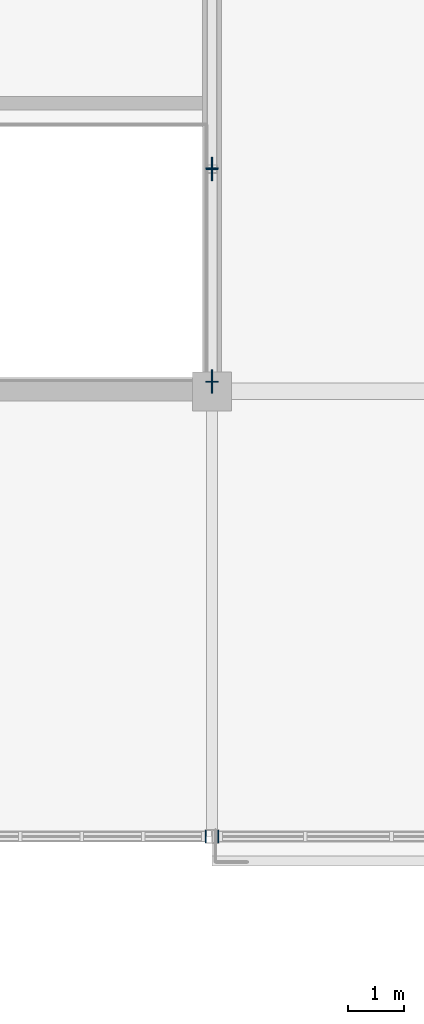
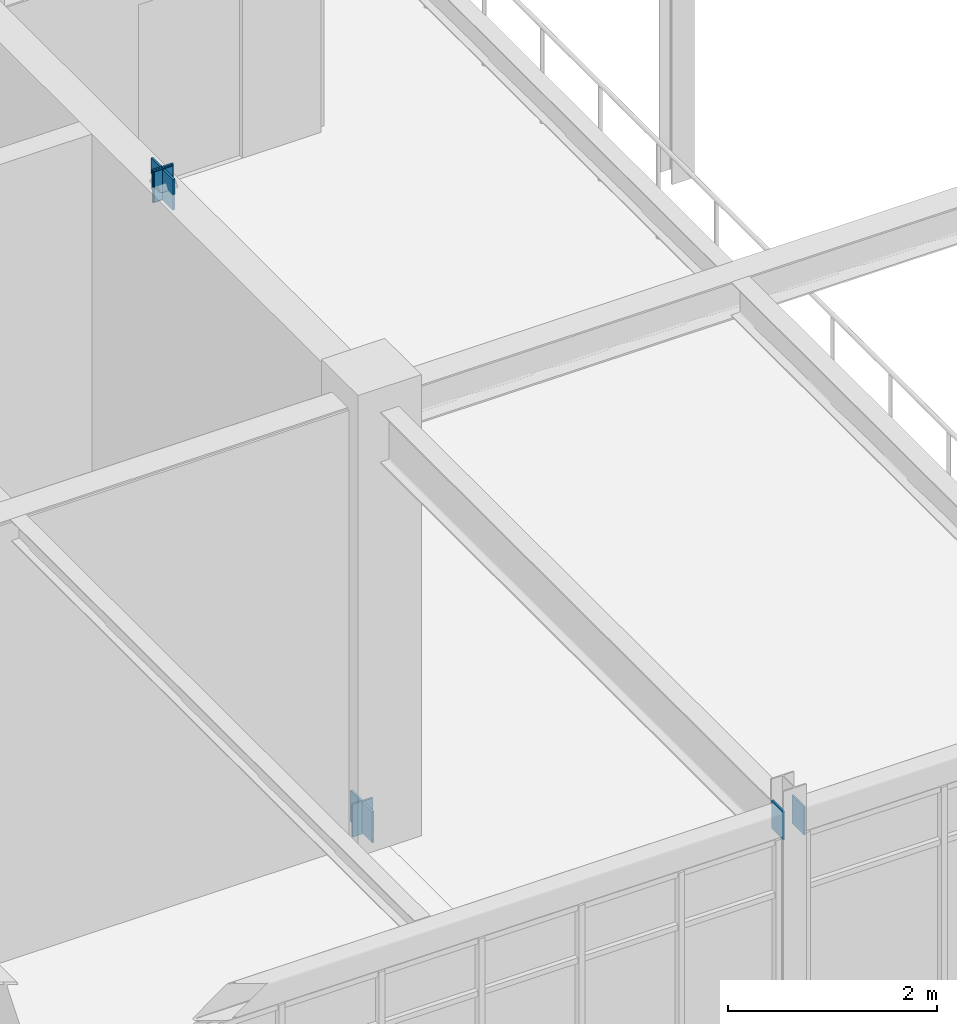
# One storey, part 124 of 184: 7 plates.
"""IFC4 building model written with IfcOpenShell, lengths in metres."""

from ifc_helpers import new_model, si_unit, direction, frame, origin, origin_2d, place, context, subcontext, project, spatial, rectangle, extrude, material, layer, layer_set, type_object, element, save


model = new_model("IFC4")

# Units and contexts
model_context = context("Model", 3, precision=1e-05, world=origin(), true_north=direction((0.0, 1.0)))
body_context = subcontext(model_context, "Body", "Model", "MODEL_VIEW")
ifc_project = project(units=[si_unit("LENGTHUNIT", "METRE"), si_unit("AREAUNIT", "SQUARE_METRE"), si_unit("VOLUMEUNIT", "CUBIC_METRE"), si_unit("PLANEANGLEUNIT", "RADIAN"), si_unit("MASSUNIT", "GRAM", prefix="KILO")], contexts=[model_context])

# Site, building, storey
site_placement = place(None, origin())
site = spatial("IfcSite", under=ifc_project, at=site_placement, CompositionType="ELEMENT")
building_placement = place(site_placement, origin())
building = spatial("IfcBuilding", under=site, at=building_placement, Name="Zhaolan Boulevard Law Courts", CompositionType="ELEMENT")
storey_placement = place(building_placement, frame((0.0, 0.0, 5.39990234375)))
storey = spatial("IfcBuildingStorey", under=building, at=storey_placement, Name="L01", CompositionType="ELEMENT", Elevation=5.39990234375)

# Plates
ifc_material_1 = material(Name="Structural steel Q355B", Category="steel")
ifc_layer_1 = layer(ifc_material_1, 0.02392578125)
ifc_layer_set_1 = layer_set([ifc_layer_1])
plate_type_1 = type_object("IfcPlateType", Name="BRACE GUSSET PLATE 24", PredefinedType="SHEET", material=ifc_layer_set_1)
for number, where, z_axis, x_axis, name in (
    (1, (124.0, 14.179931640625, -0.14990234375), (0.0, 0.0, 1.0), (0.0, 1.0, 0.0), "Brace Gusset Connection Plate GP-P2-L01-EA1"),
    (2, (124.0, 18.0, 4.93994140625), (0.0, 0.0, 1.0), (0.0, 1.0, 0.0), "Brace Gusset Connection Plate GP-P2-L01-EAPX"),
):
    element("IfcPlate", number, at=place(storey_placement, frame(where, z_axis=z_axis, x_axis=x_axis)), inside=storey, type_object=plate_type_1, Name=name, PredefinedType="SHEET", context=body_context, shape_type="SweptSolid", body=[
        extrude(rectangle(XDim=0.419921875, YDim=0.02392578125, at=origin_2d()), origin(), (0.0, 0.0, 1.0), 0.360107421875),
    ])
ifc_material_2 = material(Name="Structural steel Q355B", Category="steel")
ifc_layer_2 = layer(ifc_material_2, 0.02001953125)
ifc_layer_set_2 = layer_set([ifc_layer_2])
plate_type_2 = type_object("IfcPlateType", Name="END CAP PLATE 20", PredefinedType="SHEET", material=ifc_layer_set_2)
for number, where, z_axis, x_axis, name in (
    (3, (123.886962890625, 6.0, 4.822998046875), (0.0, 0.0, 1.0), (1.0, 0.0, 0.0), "Hollow Section End-Cap Plate ECP-0712"),
    (4, (124.113037109375, 6.0, 4.802978515625), (0.0, 0.0, 1.0), (1.0, 0.0, 0.0), "Hollow Section End-Cap Plate ECP-0713"),
):
    element("IfcPlate", number, at=place(storey_placement, frame(where, z_axis=z_axis, x_axis=x_axis)), inside=storey, type_object=plate_type_2, Name=name, PredefinedType="SHEET", context=body_context, shape_type="SweptSolid", body=[
        extrude(rectangle(XDim=0.02001953125, YDim=0.22998046875, at=origin_2d()), origin(), (0.0, 0.0, 1.0), 0.330078125),
    ])
for number, where, z_axis, x_axis, name in (
    (5, (124.0, 14.17529296875, -0.16796875), (0.0, 0.0, 1.0), (0.0, 1.0, 0.0), "Hollow Section End-Cap Plate ECP-1267"),
    (6, (124.0, 18.0048828125, 4.93505859375), (0.0, 0.0, 1.0), (0.0, 1.0, 0.0), "Hollow Section End-Cap Plate ECP-1268"),
):
    element("IfcPlate", number, at=place(storey_placement, frame(where, z_axis=z_axis, x_axis=x_axis)), inside=storey, type_object=plate_type_2, Name=name, PredefinedType="SHEET", context=body_context, shape_type="SweptSolid", body=[
        extrude(rectangle(XDim=0.02001953125, YDim=0.22998046875, at=origin_2d()), origin(), (0.0, 0.0, 1.0), 0.383056640625),
    ])
plate_placement = place(storey_placement, frame((124.0, 17.9951171875, 4.951416015625), z_axis=(0.0, 0.0, 1.0), x_axis=(0.0, -1.0, 0.0)))
element("IfcPlate", 7, at=plate_placement, inside=storey, type_object=plate_type_2, Name="Hollow Section End-Cap Plate ECP-1270", PredefinedType="SHEET", context=body_context, shape_type="SweptSolid", body=[
    extrude(rectangle(XDim=0.02001953125, YDim=0.2099609375, at=origin_2d()), origin(), (0.0, 0.0, 1.0), 0.35009765625),
])

save(model, "model.ifc")
